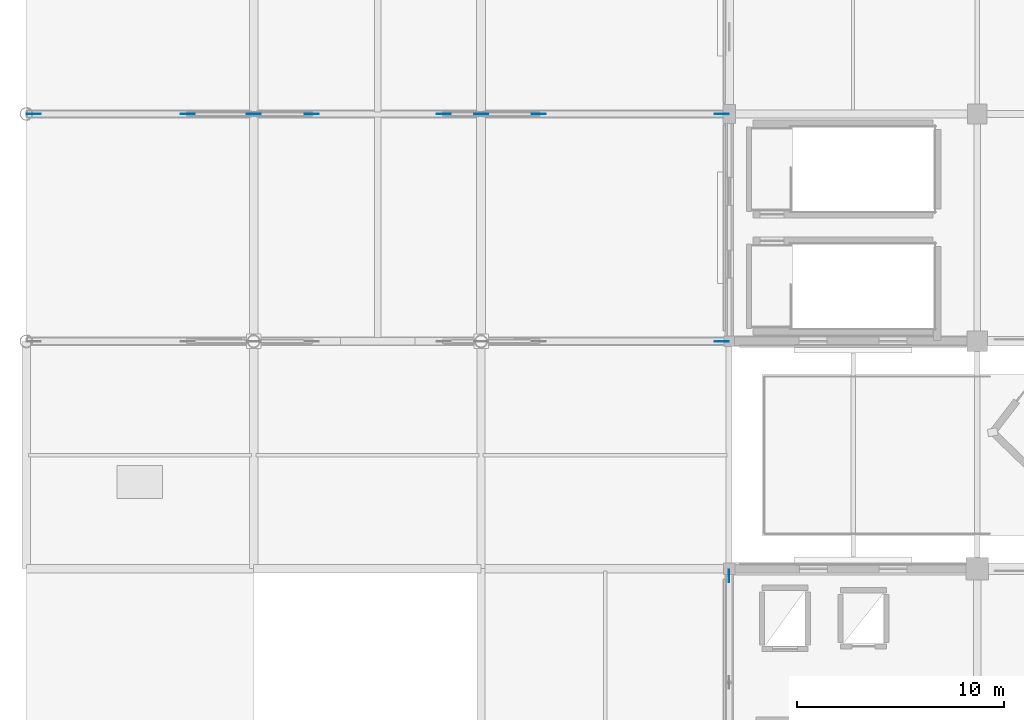
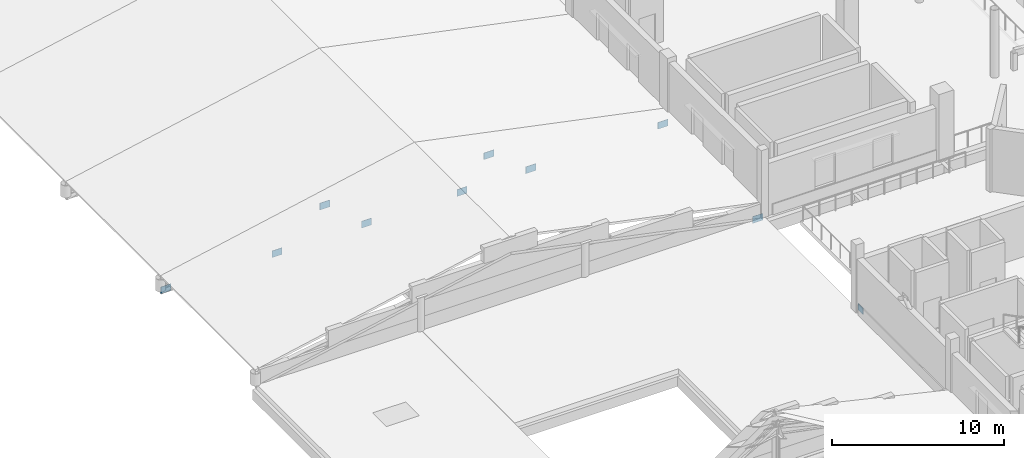
# One storey, part 39 of 77: 10 plates.
"""IFC4 building model written with IfcOpenShell, lengths in metres."""

from ifc_helpers import new_model, si_unit, direction, frame, origin, origin_2d, place, context, subcontext, project, spatial, rectangle, extrude, material, layer, layer_set, type_object, element, save


model = new_model("IFC4")

# Units and contexts
model_context = context("Model", 3, precision=1e-05, world=origin(), true_north=direction((0.0, 1.0)))
body_context = subcontext(model_context, "Body", "Model", "MODEL_VIEW")
ifc_project = project(units=[si_unit("LENGTHUNIT", "METRE"), si_unit("AREAUNIT", "SQUARE_METRE"), si_unit("VOLUMEUNIT", "CUBIC_METRE"), si_unit("PLANEANGLEUNIT", "RADIAN"), si_unit("MASSUNIT", "GRAM", prefix="KILO")], contexts=[model_context])

# Site, building, storey
site_placement = place(None, origin())
site = spatial("IfcSite", under=ifc_project, at=site_placement, CompositionType="ELEMENT")
building_placement = place(site_placement, origin())
building = spatial("IfcBuilding", under=site, at=building_placement, Name="Luwafu Chhajja Arena", CompositionType="ELEMENT")
storey_placement = place(building_placement, frame((0.0, 0.0, 14.699951171875)))
storey = spatial("IfcBuildingStorey", under=building, at=storey_placement, Name="L03", CompositionType="ELEMENT", Elevation=14.699951171875)

# Plates
ifc_material = material(Name="Steel S355", Category="steel")
ifc_layer_1 = layer(ifc_material, 0.02197265625, Name="Steel S355")
ifc_layer_set_1 = layer_set([ifc_layer_1], Name="Steel S355")
plate_type_1 = type_object("IfcPlateType", Name="Lateral Brace Gusset Plate BN-1", PredefinedType="USERDEFINED", material=ifc_layer_set_1)
plate_placement = place(storey_placement, frame((34.0, 32.64990234375, 0.02490234375), z_axis=(0.0, 0.0, 1.0), x_axis=(1.0, 0.0, 0.0)))
element("IfcPlate", 1, at=plate_placement, inside=storey, type_object=plate_type_1, Name="L03 Brace Base Gusset BN-1 05B", ObjectType="GUSSET PLATE", PredefinedType="USERDEFINED", context=body_context, shape_type="SweptSolid", body=[
    extrude(rectangle(XDim=0.02197265625, YDim=0.60009765625, at=origin_2d()), origin(), (0.0, 0.0, 1.0), 0.449951171875),
])
ifc_layer_2 = layer(ifc_material, 0.02587890625, Name="Steel S355")
ifc_layer_set_2 = layer_set([ifc_layer_2], Name="Steel S355")
plate_type_2 = type_object("IfcPlateType", Name="Warm-Up Truss Node Gusset Plate BN-2", PredefinedType="USERDEFINED", material=ifc_layer_set_2)
for number, where, z_axis, x_axis, name in (
    (2, (33.64990234375, 44.0, -0.33984375), (0.0, 0.0, 1.0), (1.0, 0.0, 0.0), "Warm-Up Truss Node Gusset BN-2 01-8"),
    (3, (0.35009765625, 55.0, -0.33984375), (0.0, 0.0, 1.0), (1.0, 0.0, 0.0), "Warm-Up Truss Node Gusset BN-2 02-1"),
    (4, (7.800048828125, 55.0, -0.389892578125), (0.0, 0.0, 1.0), (1.0, 0.0, 0.0), "Warm-Up Truss Node Gusset BN-2 02-2"),
    (5, (11.0, 55.0, 1.8701171875), (0.0, 0.0, 1.0), (1.0, 0.0, 0.0), "Warm-Up Truss Node Gusset BN-2 02-3"),
    (6, (13.800048828125, 55.0, -0.389892578125), (0.0, 0.0, 1.0), (1.0, 0.0, 0.0), "Warm-Up Truss Node Gusset BN-2 02-4"),
    (7, (20.199951171875, 55.0, -0.389892578125), (0.0, 0.0, 1.0), (1.0, 0.0, 0.0), "Warm-Up Truss Node Gusset BN-2 02-5"),
    (8, (22.0, 55.0, 1.580078125), (0.0, 0.0, 1.0), (1.0, 0.0, 0.0), "Warm-Up Truss Node Gusset BN-2 02-6"),
    (9, (24.800048828125, 55.0, -0.389892578125), (0.0, 0.0, 1.0), (1.0, 0.0, 0.0), "Warm-Up Truss Node Gusset BN-2 02-7"),
    (10, (33.64990234375, 55.0, -0.33984375), (0.0, 0.0, 1.0), (1.0, 0.0, 0.0), "Warm-Up Truss Node Gusset BN-2 02-8"),
):
    element("IfcPlate", number, at=place(storey_placement, frame(where, z_axis=z_axis, x_axis=x_axis)), inside=storey, type_object=plate_type_2, Name=name, ObjectType="GUSSET PLATE", PredefinedType="USERDEFINED", context=body_context, shape_type="SweptSolid", body=[
        extrude(rectangle(XDim=0.679931640625, YDim=0.02587890625, at=origin_2d()), origin(), (0.0, 0.0, 1.0), 0.47998046875),
    ])

save(model, "model.ifc")
